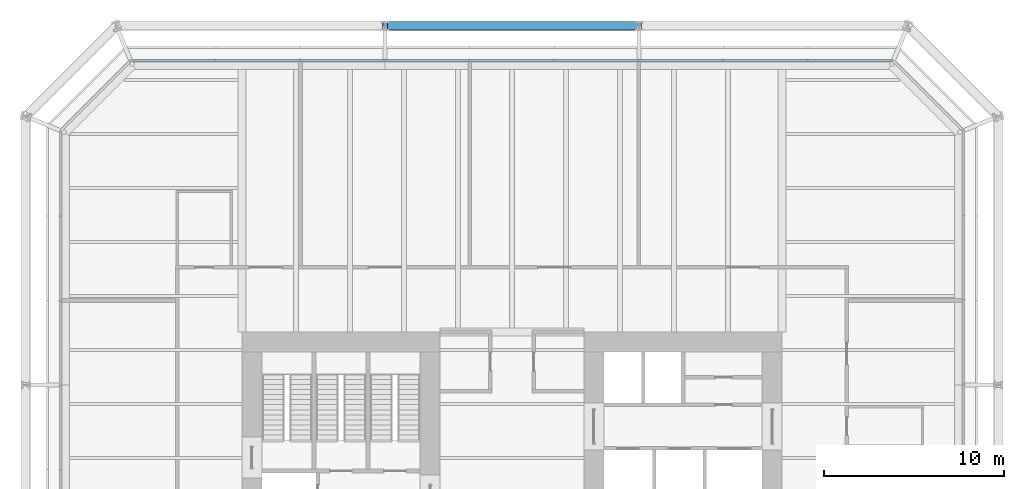
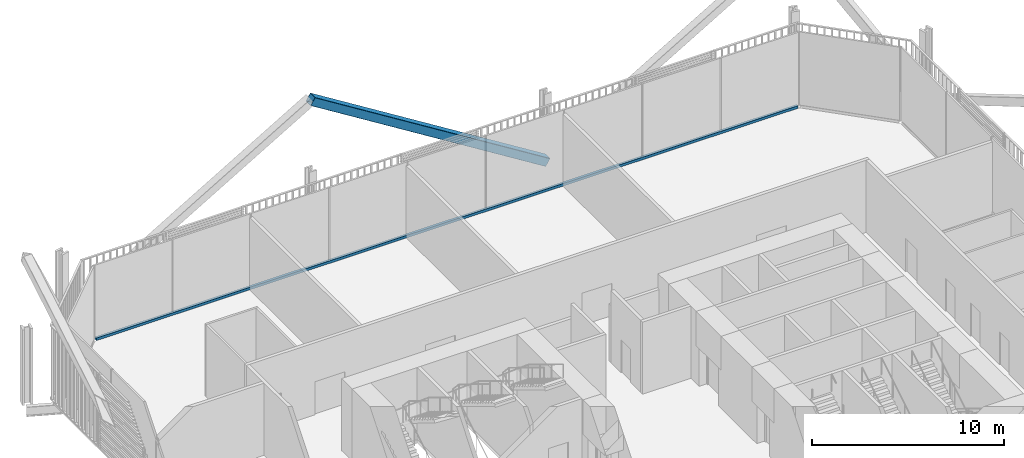
# One storey, part 15 of 22: 2 members, 1 element without a shape of its own.
"""IFC4 building model written with IfcOpenShell, lengths in metres."""

from ifc_helpers import new_model, si_unit, direction, frame, origin, origin_2d, place, context, subcontext, project, spatial, rectangle, hollow_rectangle, extrude, material, layer, layer_set, material_profile, profile_set, type_object, element, aggregate, save


model = new_model("IFC4")

# Units and contexts
model_context = context("Model", 3, precision=1e-05, world=origin(), true_north=direction((0.0, 1.0)))
body_context = subcontext(model_context, "Body", "Model", "MODEL_VIEW")
ifc_project = project(units=[si_unit("LENGTHUNIT", "METRE"), si_unit("AREAUNIT", "SQUARE_METRE"), si_unit("VOLUMEUNIT", "CUBIC_METRE"), si_unit("PLANEANGLEUNIT", "RADIAN"), si_unit("MASSUNIT", "GRAM", prefix="KILO")], contexts=[model_context])

# Site, building, storey
site_placement = place(None, origin())
site = spatial("IfcSite", under=ifc_project, at=site_placement, CompositionType="ELEMENT")
building_placement = place(site_placement, origin())
building = spatial("IfcBuilding", under=site, at=building_placement, Name="Millrace Tower", CompositionType="ELEMENT")
storey_placement = place(building_placement, frame((0.0, 0.0, 35.300048828125)))
storey = spatial("IfcBuildingStorey", under=building, at=storey_placement, Name="L08", CompositionType="ELEMENT", Elevation=35.300048828125)

# Curtain wall, member
ifc_material_1 = material(Name="Aluminium and glass", Category="aluminium")
ifc_layer = layer(ifc_material_1, 0.14990234375)
ifc_layer_set = layer_set([ifc_layer], Name="Aluminium and glass")
curtain_wall_type = type_object("IfcCurtainWallType", Name="CW-2 data hall insulated curtain wall", PredefinedType="NOTDEFINED", material=ifc_layer_set)
curtain_wall_placement = place(storey_placement, origin())
curtain_wall = element("IfcCurtainWall", 1, at=curtain_wall_placement, inside=storey, type_object=curtain_wall_type, Name="Curtain wall A-F06 L08", PredefinedType="NOTDEFINED")
ifc_material_2 = material(Name="Aluminium", Category="aluminium")
ifc_material_profile_1 = material_profile(ifc_material_2, rectangle(XDim=0.14990234375, YDim=0.159912109375, at=origin_2d()))
ifc_profile_set_1 = profile_set([ifc_material_profile_1], Name="Aluminium")
member_type_1 = type_object("IfcMemberType", Name="CW-2 data hall insulated curtain wall transom", PredefinedType="USERDEFINED", material=ifc_profile_set_1)
member_1_placement = place(storey_placement, frame((21.050048828125, 25.074951171875, 0.079833984375), z_axis=(-1.0, 0.0, 0.0), x_axis=(0.0, -1.0, 0.0)))
member_1 = element("IfcMember", 2, at=member_1_placement, type_object=member_type_1, Name="CW2 transom A-F06.1", ObjectType="TRANSOM", PredefinedType="USERDEFINED", context=body_context, shape_type="SweptSolid", body=[
    extrude(rectangle(XDim=0.14990234375, YDim=0.159912109375, at=origin_2d()), origin(), (0.0, 0.0, 1.0), 42.10009765625),
])
aggregate(curtain_wall, [member_1])

# Member
ifc_material_3 = material(Name="Steel ASTM A500 Grade C", Category="steel")
ifc_material_profile_2 = material_profile(ifc_material_3, hollow_rectangle(XDim=0.508056640625, YDim=0.508056640625, WallThickness=0.01904296875, InnerFilletRadius=0.009521484375, OuterFilletRadius=0.028564453125, at=origin_2d()))
ifc_profile_set_2 = profile_set([ifc_material_profile_2], Name="Steel ASTM A500 Grade C")
member_type_2 = type_object("IfcMemberType", Name="Exoskeleton brace HSS20x20x3/4", PredefinedType="BRACE", material=ifc_profile_set_2)
member_2_placement = place(storey_placement, frame((7.050048828125, 27.0, 0.39990234375), z_axis=(-0.848336468551, 0.0, 0.529457492276), x_axis=(0.0, -1.0, 0.0)))
element("IfcMember", 3, at=member_2_placement, inside=storey, type_object=member_type_2, Name="BRC-A-L08-11", PredefinedType="BRACE", context=body_context, shape_type="SweptSolid", body=[
    extrude(hollow_rectangle(XDim=0.508056640625, YDim=0.508056640625, WallThickness=0.01904296875, InnerFilletRadius=0.009521484375, OuterFilletRadius=0.028564453125, at=origin_2d()), origin(), (0.0, 0.0, 1.0), 16.620849609375),
])

save(model, "model.ifc")
